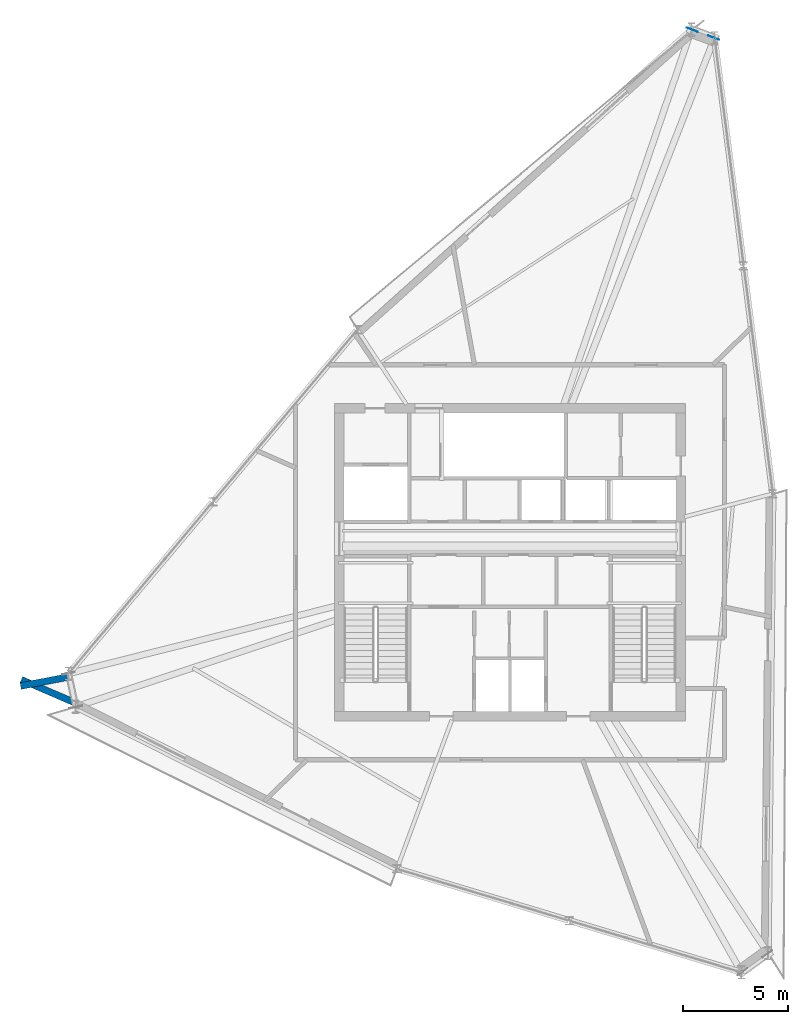
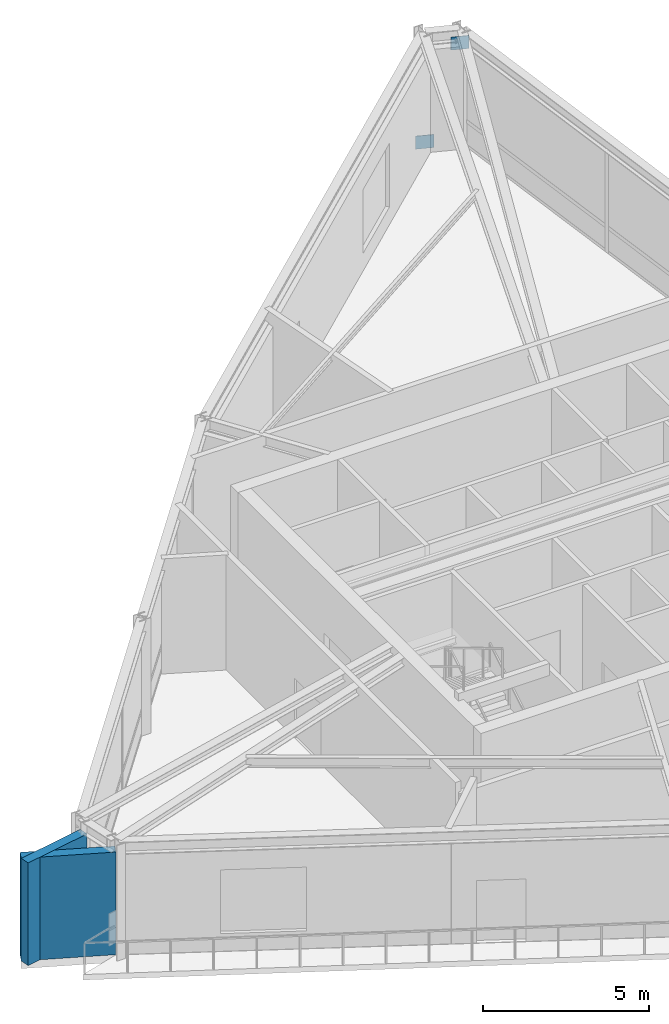
# One storey, part 17 of 23: 2 plates, 2 walls.
"""IFC4 building model written with IfcOpenShell, lengths in metres."""

import ifcopenshell
import ifcopenshell.guid

model = None  # the IFC model being written
_history = None  # IfcOwnerHistory: only IFC2X3 demands one
_inside = {}  # id of a spatial element -> (the spatial element, [elements in it])
_under = {}  # id of a project, library or spatial element -> (it, [spatial elements below it])
_declared = {}  # id of a project -> (the project, [libraries it declares])
_typed = {}  # id of a type object -> (the type object, [elements of that type])
_made_of = {}  # id of a material, layer set ... -> (it, [elements and type objects made of it])


def new_model(schema):
    """Start an empty IFC model of exactly this schema.

    Asked for "IFC4X3", IfcOpenShell would pick the latest addendum, in which some entities
    have other attributes; the version numbers below select the first issue.
    IFC2X3 requires an IfcOwnerHistory on every rooted entity: one is made here for all.
    """
    global model, _history
    if schema == "IFC4X3":
        model = ifcopenshell.file(schema_version=(4, 3, 0, 0))
    else:
        model = ifcopenshell.file(schema=schema)
    _inside.clear()
    _under.clear()
    _declared.clear()
    _typed.clear()
    _made_of.clear()
    _history = None
    if model.schema == "IFC2X3":
        org = make("IfcOrganization", Name="unknown")
        user = make(
            "IfcPersonAndOrganization",
            ThePerson=make("IfcPerson", FamilyName="unknown"),
            TheOrganization=org,
        )
        app = make(
            "IfcApplication",
            ApplicationDeveloper=org,
            Version="unknown",
            ApplicationFullName="unknown",
            ApplicationIdentifier="unknown",
        )
        _history = make(
            "IfcOwnerHistory",
            OwningUser=user,
            OwningApplication=app,
            ChangeAction="ADDED",
            CreationDate=0,
        )
    return model


def make(cls, **values):
    """One entity of the class cls with the attributes given. An attribute that is None is left unset."""
    return model.create_entity(
        cls, **{name: value for name, value in values.items() if value is not None}
    )


def rooted(cls, **values):
    """An entity with a GlobalId (a new one), such as an element, a storey or a relation."""
    return make(cls, GlobalId=ifcopenshell.guid.new(), OwnerHistory=_history, **values)


def si_unit(unit_type, name, prefix=None):
    """IfcSIUnit, for example si_unit("LENGTHUNIT", "METRE", prefix="MILLI")."""
    return make("IfcSIUnit", UnitType=unit_type, Prefix=prefix, Name=name)


def assignment(units):
    """IfcUnitAssignment: the units of a project."""
    return None if units is None else make("IfcUnitAssignment", Units=units)


def point(xyz):
    """IfcCartesianPoint."""
    return None if xyz is None else make("IfcCartesianPoint", Coordinates=xyz)


def direction(xyz):
    """IfcDirection."""
    return None if xyz is None else make("IfcDirection", DirectionRatios=xyz)


def frame(location, z_axis=None, x_axis=None):
    """IfcAxis2Placement3D, a coordinate frame: its origin and axes. An axis left out is left unset."""
    return make(
        "IfcAxis2Placement3D",
        Location=point(location),
        Axis=direction(z_axis),
        RefDirection=direction(x_axis),
    )


def frame_2d(location, x_axis=None):
    """IfcAxis2Placement2D, a coordinate frame in the plane: its origin and x axis."""
    return make(
        "IfcAxis2Placement2D", Location=point(location), RefDirection=direction(x_axis)
    )


def origin():
    """The frame at (0, 0, 0) with its axes left unset."""
    return frame((0.0, 0.0, 0.0))


def origin_2d():
    """The frame at (0, 0) in the plane with its x axis left unset."""
    return frame_2d((0.0, 0.0))


def place(relative_to, where):
    """IfcLocalPlacement: puts the frame where relative to a parent placement (None: the world)."""
    return make(
        "IfcLocalPlacement", PlacementRelTo=relative_to, RelativePlacement=where
    )


def context(
    kind, dimensions, precision=None, world=None, true_north=None, identifier=None
):
    """IfcGeometricRepresentationContext, for example the 3D "Model" context."""
    return make(
        "IfcGeometricRepresentationContext",
        ContextIdentifier=identifier,
        ContextType=kind,
        CoordinateSpaceDimension=dimensions,
        Precision=precision,
        WorldCoordinateSystem=world,
        TrueNorth=true_north,
    )


def subcontext(parent, identifier, kind, view, scale=None):
    """IfcGeometricRepresentationSubContext, for example "Body" below "Model"."""
    return make(
        "IfcGeometricRepresentationSubContext",
        ContextIdentifier=identifier,
        ContextType=kind,
        ParentContext=parent,
        TargetScale=scale,
        TargetView=view,
    )


def project(units=None, contexts=None):
    """IfcProject with its units and contexts."""
    return rooted(
        "IfcProject",
        Name="project",
        RepresentationContexts=contexts,
        UnitsInContext=assignment(units),
    )


def spatial(cls, under=None, at=None, **own):
    """A site, building, storey or space (cls), placed at a placement, below another one or the project."""
    s = rooted(cls, ObjectPlacement=at, **own)
    if under is not None:
        _under.setdefault(under.id(), (under, []))[1].append(s)
    return s


def profile(cls, at=None, kind="AREA", **sizes):
    """A parametric profile (cls). Its sizes go by their IFC names, for example OverallWidth=200.0."""
    return make(cls, ProfileType=kind, Position=at, **sizes)


def rectangle(**sizes):
    """IfcRectangleProfileDef."""
    return profile("IfcRectangleProfileDef", **sizes)


def extrude(swept, where, along, depth):
    """IfcExtrudedAreaSolid: the profile swept, set in the frame where, extruded along a direction by depth."""
    return make(
        "IfcExtrudedAreaSolid",
        SweptArea=swept,
        Position=where,
        ExtrudedDirection=direction(along),
        Depth=depth,
    )


def shape(context_of_items, identifier, shape_type, items):
    """IfcShapeRepresentation: the items that make up one representation, for example the "Body"."""
    return make(
        "IfcShapeRepresentation",
        ContextOfItems=context_of_items,
        RepresentationIdentifier=identifier,
        RepresentationType=shape_type,
        Items=items,
    )


def source(mapping_origin, context_of_items, identifier, shape_type, items):
    """IfcRepresentationMap: a shape defined once, which mapped items show again and again."""
    return make(
        "IfcRepresentationMap",
        MappingOrigin=mapping_origin,
        MappedRepresentation=shape(context_of_items, identifier, shape_type, items),
    )


def transform(
    local_origin,
    x_axis=None,
    y_axis=None,
    z_axis=None,
    scale=None,
    scale2=None,
    scale3=None,
    uniform=True,
):
    """IfcCartesianTransformationOperator3D, or its non-uniform kind. x_axis, y_axis, z_axis: its Axis1, 2, 3."""
    if uniform:
        return make(
            "IfcCartesianTransformationOperator3D",
            Axis1=direction(x_axis),
            Axis2=direction(y_axis),
            LocalOrigin=point(local_origin),
            Scale=scale,
            Axis3=direction(z_axis),
        )
    return make(
        "IfcCartesianTransformationOperator3DnonUniform",
        Axis1=direction(x_axis),
        Axis2=direction(y_axis),
        LocalOrigin=point(local_origin),
        Scale=scale,
        Axis3=direction(z_axis),
        Scale2=scale2,
        Scale3=scale3,
    )


def mapped(mapping_source, mapping_target):
    """IfcMappedItem: shows the shape of a source again, moved by a transform."""
    return make(
        "IfcMappedItem", MappingSource=mapping_source, MappingTarget=mapping_target
    )


def material(Name=None, Category=None):
    """IfcMaterial."""
    return make("IfcMaterial", Name=Name, Category=Category)


def layer(
    of_material, thickness, ventilated=None, Name=None, Category=None, Priority=None
):
    """IfcMaterialLayer: one layer of a wall or slab, of a material (None: an air gap)."""
    return make(
        "IfcMaterialLayer",
        Material=of_material,
        LayerThickness=thickness,
        IsVentilated=ventilated,
        Name=Name,
        Category=Category,
        Priority=Priority,
    )


def layer_set(layers, Name=None):
    """IfcMaterialLayerSet."""
    return make("IfcMaterialLayerSet", MaterialLayers=layers, LayerSetName=Name)


def made_of(thing, what):
    """Note that an element or type object is made of a material, layer set ...; save() writes the relation."""
    if what is not None:
        _made_of.setdefault(what.id(), (what, []))[1].append(thing)
    return thing


def type_object(cls, material=None, **own):
    """A type object (cls), such as IfcWallType, which elements share."""
    return made_of(rooted(cls, **own), material)


def element(
    cls,
    number,
    at=None,
    inside=None,
    cuts=None,
    type_object=None,
    material=None,
    context=None,
    identifier="Body",
    shape_type=None,
    held_by="IfcProductDefinitionShape",
    body=None,
    shapes=None,
    **own,
):
    """One element of the class cls, such as IfcWall. Its Tag is "e" and its number.

    at: its placement. inside: the storey or other place that contains it. cuts: it is an
    opening in that element (IfcRelVoidsElement). A single representation is given by context,
    identifier, shape_type and body (its items); several are given by shapes. held_by: the class
    of the entity that holds the representations. save() writes the other relations.
    """
    e = rooted(cls, Tag="e%d" % number, ObjectPlacement=at, **own)
    if body is not None:
        shapes = [shape(context, identifier, shape_type, body)]
    if shapes is not None:
        e.Representation = make(held_by, Representations=shapes)
    if inside is not None:
        _inside.setdefault(inside.id(), (inside, []))[1].append(e)
    if cuts is not None:
        rooted(
            "IfcRelVoidsElement", RelatingBuildingElement=cuts, RelatedOpeningElement=e
        )
    if type_object is not None:
        _typed.setdefault(type_object.id(), (type_object, []))[1].append(e)
    return made_of(e, material)


def aggregate(whole, parts):
    """IfcRelAggregates: a whole, such as a stair, and the parts it consists of."""
    return rooted("IfcRelAggregates", RelatingObject=whole, RelatedObjects=parts)


def save(model, path):
    """Write the relations noted so far, then the file.

    IfcRelAggregates (storeys below a building ...), IfcRelContainedInSpatialStructure (elements
    in a storey), IfcRelDefinesByType, IfcRelAssociatesMaterial and IfcRelDeclares: one each for
    every whole, place, type object, material and project.
    """
    for whole, parts in _under.values():
        aggregate(whole, parts)
    for where, things in _inside.values():
        rooted(
            "IfcRelContainedInSpatialStructure",
            RelatedElements=things,
            RelatingStructure=where,
        )
    for kind, things in _typed.values():
        rooted("IfcRelDefinesByType", RelatedObjects=things, RelatingType=kind)
    for what, things in _made_of.values():
        rooted("IfcRelAssociatesMaterial", RelatedObjects=things, RelatingMaterial=what)
    for by, libraries in _declared.values():
        rooted("IfcRelDeclares", RelatingContext=by, RelatedDefinitions=libraries)
    model.write(path)


model = new_model("IFC4")

# Units and contexts
model_context = context("Model", 3, precision=1e-05, world=origin(), true_north=direction((0.0, 1.0)))
body_context = subcontext(model_context, "Body", "Model", "MODEL_VIEW")
ifc_project = project(units=[si_unit("LENGTHUNIT", "METRE"), si_unit("AREAUNIT", "SQUARE_METRE"), si_unit("VOLUMEUNIT", "CUBIC_METRE"), si_unit("PLANEANGLEUNIT", "RADIAN"), si_unit("MASSUNIT", "GRAM", prefix="KILO")], contexts=[model_context])

# Site, building, storey
site_placement = place(None, origin())
site = spatial("IfcSite", under=ifc_project, at=site_placement, CompositionType="ELEMENT")
building_placement = place(site_placement, origin())
building = spatial("IfcBuilding", under=site, at=building_placement, Name="Olszyna Solenne Hotel", CompositionType="ELEMENT")
storey_placement = place(building_placement, frame((0.0, 0.0, 290.5)))
storey = spatial("IfcBuildingStorey", under=building, at=storey_placement, Name="L77", CompositionType="ELEMENT", Elevation=290.5)

# Plates
ifc_material_1 = material(Name="Steel S355J2", Category="steel")
plate_type = type_object("IfcPlateType", Name="GP-ND2", PredefinedType="USERDEFINED", material=ifc_material_1)
shared_shape = source(origin(), body_context, "Body", "SweptSolid", [
    extrude(rectangle(XDim=0.56005859375, YDim=0.02001953125, at=origin_2d()), origin(), (0.0, 0.0, 1.0), 0.47998046875),
])
for number, where, z_axis, x_axis, name in (
    (1, (46.67626953125, 51.931884765625, -0.09619140625), (0.0, 0.0, 1.0), (0.937585819058, -0.347753981862, 0.0), "Brace end connection gusset plate GP-ND2 EP-BR-L77-1-1"),
    (2, (47.69189453125, 51.55517578125, 3.42529296875), (0.0, 0.0, 1.0), (0.937585819058, -0.347753981862, 0.0), "Brace end connection gusset plate GP-ND2 EP-BR-L77-1-2"),
):
    element("IfcPlate", number, at=place(storey_placement, frame(where, z_axis=z_axis, x_axis=x_axis)), inside=storey, type_object=plate_type, Name=name, ObjectType="GUSSET_PLATE", PredefinedType="USERDEFINED", context=body_context, shape_type="MappedRepresentation", body=[
        mapped(shared_shape, transform((0.0, 0.0, 0.0), x_axis=(1.0, 0.0, 0.0), y_axis=(0.0, 1.0, 0.0), z_axis=(0.0, 0.0, 1.0), scale=1.0)),
    ])

# Walls
ifc_material_2 = material(Name="Precast concrete C45/55", Category="concrete")
ifc_layer = layer(ifc_material_2, 0.320068359375, Name="Precast concrete C45/55")
ifc_layer_set = layer_set([ifc_layer], Name="Precast concrete C45/55")
wall_type = type_object("IfcWallType", Name="WL-EX320", PredefinedType="SOLIDWALL", material=ifc_layer_set)
wall_1_placement = place(storey_placement, frame((17.40087890625, 19.87158203125, 0.0), z_axis=(0.0, 0.0, 1.0), x_axis=(-0.918056053797, 0.396450604852, 0.0)))
element("IfcWall", 3, at=wall_1_placement, inside=storey, type_object=wall_type, Name="Exterior terracotta-precast frame wall WL-EX320 EW-L77-05", PredefinedType="SOLIDWALL", context=body_context, shape_type="SweptSolid", body=[
    extrude(rectangle(XDim=2.885009765625, YDim=0.320068359375, at=frame_2d((1.4423828125, 0.0))), origin(), (0.0, 0.0, 1.0), 3.781982421875),
])
wall_2_placement = place(storey_placement, frame((14.718505859375, 20.711181640625, 0.0), z_axis=(0.0, 0.0, 1.0), x_axis=(0.98266700848, 0.185379476869, 0.0)))
element("IfcWall", 4, at=wall_2_placement, inside=storey, type_object=wall_type, Name="Exterior terracotta-precast frame wall WL-EX320 EW-L77-06", PredefinedType="SOLIDWALL", context=body_context, shape_type="SweptSolid", body=[
    extrude(rectangle(XDim=2.350830078125, YDim=0.320068359375, at=frame_2d((1.17529296875, 0.0))), origin(), (0.0, 0.0, 1.0), 3.781982421875),
])

save(model, "model.ifc")
